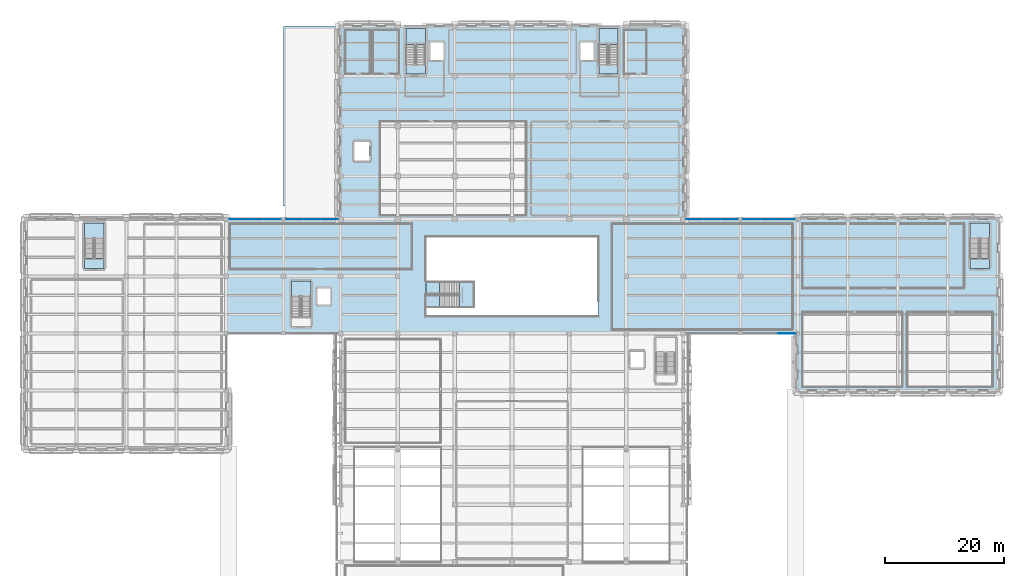
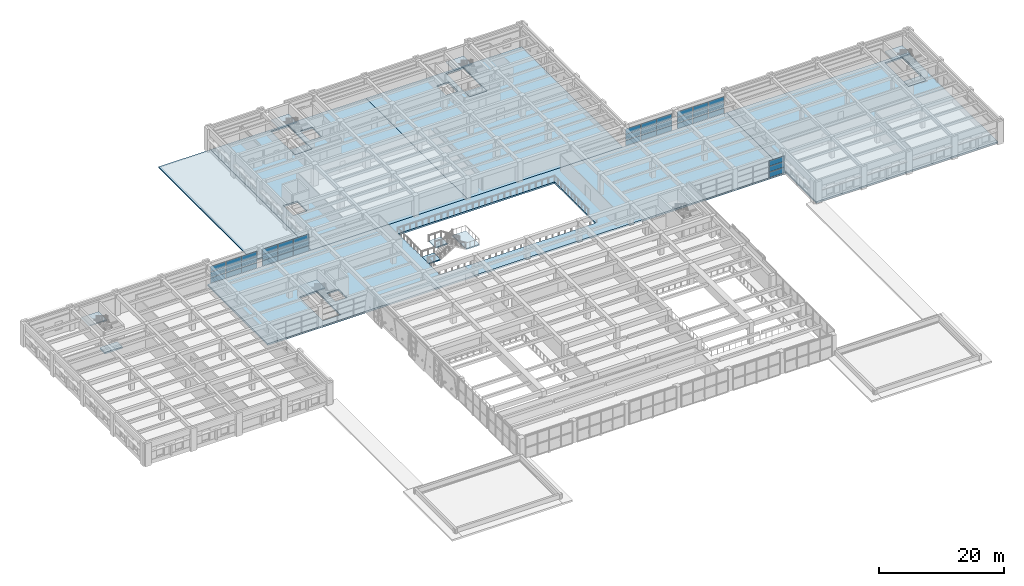
# One storey, part 28 of 49: 39 plates, 17 slabs, 11 elements without a shape of their own.
"""IFC4 building model written with IfcOpenShell, lengths in metres."""

from ifc_helpers import new_model, si_unit, direction, frame, origin, origin_2d, place, context, subcontext, project, spatial, polyline, rectangle, outline, extrude, material, layer, layer_set, type_object, element, aggregate, save


model = new_model("IFC4")

# Units and contexts
model_context = context("Model", 3, precision=1e-05, world=origin(), true_north=direction((0.0, 1.0)))
body_context = subcontext(model_context, "Body", "Model", "MODEL_VIEW")
ifc_project = project(units=[si_unit("LENGTHUNIT", "METRE"), si_unit("AREAUNIT", "SQUARE_METRE"), si_unit("VOLUMEUNIT", "CUBIC_METRE"), si_unit("PLANEANGLEUNIT", "RADIAN"), si_unit("MASSUNIT", "GRAM", prefix="KILO")], contexts=[model_context])

# Site, building, storey
site_placement = place(None, origin())
site = spatial("IfcSite", under=ifc_project, at=site_placement, CompositionType="ELEMENT")
building_placement = place(site_placement, origin())
building = spatial("IfcBuilding", under=site, at=building_placement, Name="Bempovik Park Faculty of Sciences", CompositionType="ELEMENT")
storey_placement = place(building_placement, frame((0.0, 0.0, 5.39990234375)))
storey = spatial("IfcBuildingStorey", under=building, at=storey_placement, Name="L01", CompositionType="ELEMENT", Elevation=5.39990234375)

# Curtain wall, plates
ifc_material_1 = material(Name="Tempered laminated low-E glass", Category="glass")
ifc_layer_1 = layer(ifc_material_1, 0.159912109375)
ifc_layer_set_1 = layer_set([ifc_layer_1], Name="Tempered laminated low-E glass")
curtain_wall_type = type_object("IfcCurtainWallType", Name="CW-52 Curtain 6600x4100", PredefinedType="USERDEFINED", material=ifc_layer_set_1)
curtain_wall_1_placement = place(storey_placement, origin())
curtain_wall_1 = element("IfcCurtainWall", 1, at=curtain_wall_1_placement, inside=storey, type_object=curtain_wall_type, Name="L01 Unitised Curtain Wall (87.0,40.8)", ObjectType="UNITISED CURTAIN WALL", PredefinedType="USERDEFINED")
ifc_layer_2 = layer(ifc_material_1, 0.033935546875)
ifc_layer_set_2 = layer_set([ifc_layer_2], Name="Tempered laminated low-E glass")
plate_type_1 = type_object("IfcPlateType", Name="CP-19 Curtain Panel 34mm", PredefinedType="CURTAIN_PANEL", material=ifc_layer_set_2)
plate_1_placement = place(storey_placement, frame((42.701416015625, 87.0, 1.1669921875), z_axis=(0.0, 0.0, 1.0), x_axis=(1.0, 0.0, 0.0)))
plate_1 = element("IfcPlate", 2, at=plate_1_placement, type_object=plate_type_1, Name="CW-BAY-L01-870-408 Panel 0-1", PredefinedType="CURTAIN_PANEL", context=body_context, shape_type="SweptSolid", body=[
    extrude(rectangle(XDim=2.818603515625, YDim=0.035888671875, at=origin_2d()), origin(), (0.0, 0.0, 1.0), 1.046630859375),
])
plate_2_placement = place(storey_placement, frame((42.701416015625, 87.0, 2.29345703125), z_axis=(0.0, 0.0, 1.0), x_axis=(1.0, 0.0, 0.0)))
plate_2 = element("IfcPlate", 3, at=plate_2_placement, type_object=plate_type_1, Name="CW-BAY-L01-870-408 Panel 0-2", PredefinedType="CURTAIN_PANEL", context=body_context, shape_type="SweptSolid", body=[
    extrude(rectangle(XDim=2.818603515625, YDim=0.035888671875, at=origin_2d()), origin(), (0.0, 0.0, 1.0), 1.046630859375),
])
plate_3_placement = place(storey_placement, frame((45.60009765625, 87.0, 1.1669921875), z_axis=(0.0, 0.0, 1.0), x_axis=(1.0, 0.0, 0.0)))
plate_3 = element("IfcPlate", 4, at=plate_3_placement, type_object=plate_type_1, Name="CW-BAY-L01-870-408 Panel 1-1", PredefinedType="CURTAIN_PANEL", context=body_context, shape_type="SweptSolid", body=[
    extrude(rectangle(XDim=2.818603515625, YDim=0.035888671875, at=origin_2d()), origin(), (0.0, 0.0, 1.0), 1.046630859375),
])
plate_4_placement = place(storey_placement, frame((45.60009765625, 87.0, 2.29345703125), z_axis=(0.0, 0.0, 1.0), x_axis=(1.0, 0.0, 0.0)))
plate_4 = element("IfcPlate", 5, at=plate_4_placement, type_object=plate_type_1, Name="CW-BAY-L01-870-408 Panel 1-2", PredefinedType="CURTAIN_PANEL", context=body_context, shape_type="SweptSolid", body=[
    extrude(rectangle(XDim=2.818603515625, YDim=0.035888671875, at=origin_2d()), origin(), (0.0, 0.0, 1.0), 1.046630859375),
])
plate_5_placement = place(storey_placement, frame((48.498779296875, 87.0, 1.1669921875), z_axis=(0.0, 0.0, 1.0), x_axis=(1.0, 0.0, 0.0)))
plate_5 = element("IfcPlate", 6, at=plate_5_placement, type_object=plate_type_1, Name="CW-BAY-L01-870-408 Panel 2-1", PredefinedType="CURTAIN_PANEL", context=body_context, shape_type="SweptSolid", body=[
    extrude(rectangle(XDim=2.818603515625, YDim=0.035888671875, at=origin_2d()), origin(), (0.0, 0.0, 1.0), 1.046630859375),
])
plate_6_placement = place(storey_placement, frame((48.498779296875, 87.0, 2.29345703125), z_axis=(0.0, 0.0, 1.0), x_axis=(1.0, 0.0, 0.0)))
plate_6 = element("IfcPlate", 7, at=plate_6_placement, type_object=plate_type_1, Name="CW-BAY-L01-870-408 Panel 2-2", PredefinedType="CURTAIN_PANEL", context=body_context, shape_type="SweptSolid", body=[
    extrude(rectangle(XDim=2.818603515625, YDim=0.035888671875, at=origin_2d()), origin(), (0.0, 0.0, 1.0), 1.046630859375),
])

curtain_wall_2_placement = place(storey_placement, origin())
curtain_wall_2 = element("IfcCurtainWall", 8, at=curtain_wall_2_placement, inside=storey, type_object=curtain_wall_type, Name="L01 Unitised Curtain Wall (87.0,50.4)", ObjectType="UNITISED CURTAIN WALL", PredefinedType="USERDEFINED")
plate_7_placement = place(storey_placement, frame((52.30126953125, 87.0, 1.1669921875), z_axis=(0.0, 0.0, 1.0), x_axis=(1.0, 0.0, 0.0)))
plate_7 = element("IfcPlate", 9, at=plate_7_placement, type_object=plate_type_1, Name="CW-BAY-L01-870-504 Panel 0-1", PredefinedType="CURTAIN_PANEL", context=body_context, shape_type="SweptSolid", body=[
    extrude(rectangle(XDim=2.818603515625, YDim=0.035888671875, at=origin_2d()), origin(), (0.0, 0.0, 1.0), 1.046630859375),
])
plate_8_placement = place(storey_placement, frame((52.30126953125, 87.0, 2.29345703125), z_axis=(0.0, 0.0, 1.0), x_axis=(1.0, 0.0, 0.0)))
plate_8 = element("IfcPlate", 10, at=plate_8_placement, type_object=plate_type_1, Name="CW-BAY-L01-870-504 Panel 0-2", PredefinedType="CURTAIN_PANEL", context=body_context, shape_type="SweptSolid", body=[
    extrude(rectangle(XDim=2.818603515625, YDim=0.035888671875, at=origin_2d()), origin(), (0.0, 0.0, 1.0), 1.046630859375),
])
plate_9_placement = place(storey_placement, frame((55.199951171875, 87.0, 1.1669921875), z_axis=(0.0, 0.0, 1.0), x_axis=(1.0, 0.0, 0.0)))
plate_9 = element("IfcPlate", 11, at=plate_9_placement, type_object=plate_type_1, Name="CW-BAY-L01-870-504 Panel 1-1", PredefinedType="CURTAIN_PANEL", context=body_context, shape_type="SweptSolid", body=[
    extrude(rectangle(XDim=2.818603515625, YDim=0.035888671875, at=origin_2d()), origin(), (0.0, 0.0, 1.0), 1.046630859375),
])
plate_10_placement = place(storey_placement, frame((55.199951171875, 87.0, 2.29345703125), z_axis=(0.0, 0.0, 1.0), x_axis=(1.0, 0.0, 0.0)))
plate_10 = element("IfcPlate", 12, at=plate_10_placement, type_object=plate_type_1, Name="CW-BAY-L01-870-504 Panel 1-2", PredefinedType="CURTAIN_PANEL", context=body_context, shape_type="SweptSolid", body=[
    extrude(rectangle(XDim=2.818603515625, YDim=0.035888671875, at=origin_2d()), origin(), (0.0, 0.0, 1.0), 1.046630859375),
])
plate_11_placement = place(storey_placement, frame((58.0986328125, 87.0, 1.1669921875), z_axis=(0.0, 0.0, 1.0), x_axis=(1.0, 0.0, 0.0)))
plate_11 = element("IfcPlate", 13, at=plate_11_placement, type_object=plate_type_1, Name="CW-BAY-L01-870-504 Panel 2-1", PredefinedType="CURTAIN_PANEL", context=body_context, shape_type="SweptSolid", body=[
    extrude(rectangle(XDim=2.818603515625, YDim=0.035888671875, at=origin_2d()), origin(), (0.0, 0.0, 1.0), 1.046630859375),
])
plate_12_placement = place(storey_placement, frame((58.0986328125, 87.0, 2.29345703125), z_axis=(0.0, 0.0, 1.0), x_axis=(1.0, 0.0, 0.0)))
plate_12 = element("IfcPlate", 14, at=plate_12_placement, type_object=plate_type_1, Name="CW-BAY-L01-870-504 Panel 2-2", PredefinedType="CURTAIN_PANEL", context=body_context, shape_type="SweptSolid", body=[
    extrude(rectangle(XDim=2.818603515625, YDim=0.035888671875, at=origin_2d()), origin(), (0.0, 0.0, 1.0), 1.046630859375),
])

curtain_wall_3_placement = place(storey_placement, origin())
curtain_wall_3 = element("IfcCurtainWall", 15, at=curtain_wall_3_placement, inside=storey, type_object=curtain_wall_type, Name="L01 Unitised Curtain Wall (87.0,117.6)", ObjectType="UNITISED CURTAIN WALL", PredefinedType="USERDEFINED")
plate_13_placement = place(storey_placement, frame((119.501220703125, 87.0, 1.1669921875), z_axis=(0.0, 0.0, 1.0), x_axis=(1.0, 0.0, 0.0)))
plate_13 = element("IfcPlate", 16, at=plate_13_placement, type_object=plate_type_1, Name="CW-BAY-L01-870-1176 Panel 0-1", PredefinedType="CURTAIN_PANEL", context=body_context, shape_type="SweptSolid", body=[
    extrude(rectangle(XDim=2.818603515625, YDim=0.035888671875, at=origin_2d()), origin(), (0.0, 0.0, 1.0), 1.046630859375),
])
plate_14_placement = place(storey_placement, frame((119.501220703125, 87.0, 2.29345703125), z_axis=(0.0, 0.0, 1.0), x_axis=(1.0, 0.0, 0.0)))
plate_14 = element("IfcPlate", 17, at=plate_14_placement, type_object=plate_type_1, Name="CW-BAY-L01-870-1176 Panel 0-2", PredefinedType="CURTAIN_PANEL", context=body_context, shape_type="SweptSolid", body=[
    extrude(rectangle(XDim=2.818603515625, YDim=0.035888671875, at=origin_2d()), origin(), (0.0, 0.0, 1.0), 1.046630859375),
])
plate_15_placement = place(storey_placement, frame((122.39990234375, 87.0, 1.1669921875), z_axis=(0.0, 0.0, 1.0), x_axis=(1.0, 0.0, 0.0)))
plate_15 = element("IfcPlate", 18, at=plate_15_placement, type_object=plate_type_1, Name="CW-BAY-L01-870-1176 Panel 1-1", PredefinedType="CURTAIN_PANEL", context=body_context, shape_type="SweptSolid", body=[
    extrude(rectangle(XDim=2.818603515625, YDim=0.035888671875, at=origin_2d()), origin(), (0.0, 0.0, 1.0), 1.046630859375),
])
plate_16_placement = place(storey_placement, frame((122.39990234375, 87.0, 2.29345703125), z_axis=(0.0, 0.0, 1.0), x_axis=(1.0, 0.0, 0.0)))
plate_16 = element("IfcPlate", 19, at=plate_16_placement, type_object=plate_type_1, Name="CW-BAY-L01-870-1176 Panel 1-2", PredefinedType="CURTAIN_PANEL", context=body_context, shape_type="SweptSolid", body=[
    extrude(rectangle(XDim=2.818603515625, YDim=0.035888671875, at=origin_2d()), origin(), (0.0, 0.0, 1.0), 1.046630859375),
])
plate_17_placement = place(storey_placement, frame((125.298583984375, 87.0, 1.1669921875), z_axis=(0.0, 0.0, 1.0), x_axis=(1.0, 0.0, 0.0)))
plate_17 = element("IfcPlate", 20, at=plate_17_placement, type_object=plate_type_1, Name="CW-BAY-L01-870-1176 Panel 2-1", PredefinedType="CURTAIN_PANEL", context=body_context, shape_type="SweptSolid", body=[
    extrude(rectangle(XDim=2.818603515625, YDim=0.035888671875, at=origin_2d()), origin(), (0.0, 0.0, 1.0), 1.046630859375),
])
plate_18_placement = place(storey_placement, frame((125.298583984375, 87.0, 2.29345703125), z_axis=(0.0, 0.0, 1.0), x_axis=(1.0, 0.0, 0.0)))
plate_18 = element("IfcPlate", 21, at=plate_18_placement, type_object=plate_type_1, Name="CW-BAY-L01-870-1176 Panel 2-2", PredefinedType="CURTAIN_PANEL", context=body_context, shape_type="SweptSolid", body=[
    extrude(rectangle(XDim=2.818603515625, YDim=0.035888671875, at=origin_2d()), origin(), (0.0, 0.0, 1.0), 1.046630859375),
])

curtain_wall_4_placement = place(storey_placement, origin())
curtain_wall_4 = element("IfcCurtainWall", 22, at=curtain_wall_4_placement, inside=storey, type_object=curtain_wall_type, Name="L01 Unitised Curtain Wall (87.0,127.2)", ObjectType="UNITISED CURTAIN WALL", PredefinedType="USERDEFINED")
plate_19_placement = place(storey_placement, frame((129.101318359375, 87.0, 1.1669921875), z_axis=(0.0, 0.0, 1.0), x_axis=(1.0, 0.0, 0.0)))
plate_19 = element("IfcPlate", 23, at=plate_19_placement, type_object=plate_type_1, Name="CW-BAY-L01-870-1272 Panel 0-1", PredefinedType="CURTAIN_PANEL", context=body_context, shape_type="SweptSolid", body=[
    extrude(rectangle(XDim=2.818603515625, YDim=0.035888671875, at=origin_2d()), origin(), (0.0, 0.0, 1.0), 1.046630859375),
])
plate_20_placement = place(storey_placement, frame((129.101318359375, 87.0, 2.29345703125), z_axis=(0.0, 0.0, 1.0), x_axis=(1.0, 0.0, 0.0)))
plate_20 = element("IfcPlate", 24, at=plate_20_placement, type_object=plate_type_1, Name="CW-BAY-L01-870-1272 Panel 0-2", PredefinedType="CURTAIN_PANEL", context=body_context, shape_type="SweptSolid", body=[
    extrude(rectangle(XDim=2.818603515625, YDim=0.035888671875, at=origin_2d()), origin(), (0.0, 0.0, 1.0), 1.046630859375),
])
plate_21_placement = place(storey_placement, frame((132.0, 87.0, 1.1669921875), z_axis=(0.0, 0.0, 1.0), x_axis=(1.0, 0.0, 0.0)))
plate_21 = element("IfcPlate", 25, at=plate_21_placement, type_object=plate_type_1, Name="CW-BAY-L01-870-1272 Panel 1-1", PredefinedType="CURTAIN_PANEL", context=body_context, shape_type="SweptSolid", body=[
    extrude(rectangle(XDim=2.818603515625, YDim=0.035888671875, at=origin_2d()), origin(), (0.0, 0.0, 1.0), 1.046630859375),
])
plate_22_placement = place(storey_placement, frame((132.0, 87.0, 2.29345703125), z_axis=(0.0, 0.0, 1.0), x_axis=(1.0, 0.0, 0.0)))
plate_22 = element("IfcPlate", 26, at=plate_22_placement, type_object=plate_type_1, Name="CW-BAY-L01-870-1272 Panel 1-2", PredefinedType="CURTAIN_PANEL", context=body_context, shape_type="SweptSolid", body=[
    extrude(rectangle(XDim=2.818603515625, YDim=0.035888671875, at=origin_2d()), origin(), (0.0, 0.0, 1.0), 1.046630859375),
])
plate_23_placement = place(storey_placement, frame((134.898681640625, 87.0, 1.1669921875), z_axis=(0.0, 0.0, 1.0), x_axis=(1.0, 0.0, 0.0)))
plate_23 = element("IfcPlate", 27, at=plate_23_placement, type_object=plate_type_1, Name="CW-BAY-L01-870-1272 Panel 2-1", PredefinedType="CURTAIN_PANEL", context=body_context, shape_type="SweptSolid", body=[
    extrude(rectangle(XDim=2.818603515625, YDim=0.035888671875, at=origin_2d()), origin(), (0.0, 0.0, 1.0), 1.046630859375),
])
plate_24_placement = place(storey_placement, frame((134.898681640625, 87.0, 2.29345703125), z_axis=(0.0, 0.0, 1.0), x_axis=(1.0, 0.0, 0.0)))
plate_24 = element("IfcPlate", 28, at=plate_24_placement, type_object=plate_type_1, Name="CW-BAY-L01-870-1272 Panel 2-2", PredefinedType="CURTAIN_PANEL", context=body_context, shape_type="SweptSolid", body=[
    extrude(rectangle(XDim=2.818603515625, YDim=0.035888671875, at=origin_2d()), origin(), (0.0, 0.0, 1.0), 1.046630859375),
])

curtain_wall_5_placement = place(storey_placement, origin())
curtain_wall_5 = element("IfcCurtainWall", 29, at=curtain_wall_5_placement, inside=storey, type_object=curtain_wall_type, Name="L01 Unitised Curtain Wall (67.8,127.2)", ObjectType="UNITISED CURTAIN WALL", PredefinedType="USERDEFINED")
plate_25_placement = place(storey_placement, frame((135.007080078125, 67.800048828125, 1.1669921875), z_axis=(0.0, 0.0, 1.0), x_axis=(1.0, 0.0, 0.0)))
plate_25 = element("IfcPlate", 30, at=plate_25_placement, type_object=plate_type_1, Name="CW-BAY-L01-678-1272 Panel 2-1", PredefinedType="CURTAIN_PANEL", context=body_context, shape_type="SweptSolid", body=[
    extrude(rectangle(XDim=2.882080078125, YDim=0.035888671875, at=origin_2d()), origin(), (0.0, 0.0, 1.0), 1.046630859375),
])
plate_26_placement = place(storey_placement, frame((135.007080078125, 67.800048828125, 2.29345703125), z_axis=(0.0, 0.0, 1.0), x_axis=(1.0, 0.0, 0.0)))
plate_26 = element("IfcPlate", 31, at=plate_26_placement, type_object=plate_type_1, Name="CW-BAY-L01-678-1272 Panel 2-2", PredefinedType="CURTAIN_PANEL", context=body_context, shape_type="SweptSolid", body=[
    extrude(rectangle(XDim=2.882080078125, YDim=0.035888671875, at=origin_2d()), origin(), (0.0, 0.0, 1.0), 1.046630859375),
])

# Plate
ifc_material_2 = material(Name="Anodised architectural bronze")
ifc_layer_3 = layer(ifc_material_2, 0.048095703125)
ifc_layer_set_3 = layer_set([ifc_layer_3], Name="Anodised architectural bronze")
plate_type_2 = type_object("IfcPlateType", Name="CP-24 Curtain Panel 48mm", PredefinedType="CURTAIN_PANEL", material=ifc_layer_set_3)
plate_27_placement = place(storey_placement, frame((42.701416015625, 87.0, 0.0400390625), z_axis=(0.0, 0.0, 1.0), x_axis=(1.0, 0.0, 0.0)))
plate_27 = element("IfcPlate", 32, at=plate_27_placement, type_object=plate_type_2, Name="CW-BAY-L01-870-408 Panel 0-0", PredefinedType="CURTAIN_PANEL", context=body_context, shape_type="SweptSolid", body=[
    extrude(rectangle(XDim=2.818603515625, YDim=0.035888671875, at=origin_2d()), origin(), (0.0, 0.0, 1.0), 1.046630859375),
])

plate_28_placement = place(storey_placement, frame((45.60009765625, 87.0, 0.0400390625), z_axis=(0.0, 0.0, 1.0), x_axis=(1.0, 0.0, 0.0)))
plate_28 = element("IfcPlate", 33, at=plate_28_placement, type_object=plate_type_2, Name="CW-BAY-L01-870-408 Panel 1-0", PredefinedType="CURTAIN_PANEL", context=body_context, shape_type="SweptSolid", body=[
    extrude(rectangle(XDim=2.818603515625, YDim=0.035888671875, at=origin_2d()), origin(), (0.0, 0.0, 1.0), 1.046630859375),
])

plate_29_placement = place(storey_placement, frame((48.498779296875, 87.0, 0.0400390625), z_axis=(0.0, 0.0, 1.0), x_axis=(1.0, 0.0, 0.0)))
plate_29 = element("IfcPlate", 34, at=plate_29_placement, type_object=plate_type_2, Name="CW-BAY-L01-870-408 Panel 2-0", PredefinedType="CURTAIN_PANEL", context=body_context, shape_type="SweptSolid", body=[
    extrude(rectangle(XDim=2.818603515625, YDim=0.035888671875, at=origin_2d()), origin(), (0.0, 0.0, 1.0), 1.046630859375),
])

aggregate(curtain_wall_1, [plate_27, plate_1, plate_2, plate_28, plate_3, plate_4, plate_29, plate_5, plate_6])

plate_30_placement = place(storey_placement, frame((52.30126953125, 87.0, 0.0400390625), z_axis=(0.0, 0.0, 1.0), x_axis=(1.0, 0.0, 0.0)))
plate_30 = element("IfcPlate", 35, at=plate_30_placement, type_object=plate_type_2, Name="CW-BAY-L01-870-504 Panel 0-0", PredefinedType="CURTAIN_PANEL", context=body_context, shape_type="SweptSolid", body=[
    extrude(rectangle(XDim=2.818603515625, YDim=0.035888671875, at=origin_2d()), origin(), (0.0, 0.0, 1.0), 1.046630859375),
])

plate_31_placement = place(storey_placement, frame((55.199951171875, 87.0, 0.0400390625), z_axis=(0.0, 0.0, 1.0), x_axis=(1.0, 0.0, 0.0)))
plate_31 = element("IfcPlate", 36, at=plate_31_placement, type_object=plate_type_2, Name="CW-BAY-L01-870-504 Panel 1-0", PredefinedType="CURTAIN_PANEL", context=body_context, shape_type="SweptSolid", body=[
    extrude(rectangle(XDim=2.818603515625, YDim=0.035888671875, at=origin_2d()), origin(), (0.0, 0.0, 1.0), 1.046630859375),
])

plate_32_placement = place(storey_placement, frame((58.0986328125, 87.0, 0.0400390625), z_axis=(0.0, 0.0, 1.0), x_axis=(1.0, 0.0, 0.0)))
plate_32 = element("IfcPlate", 37, at=plate_32_placement, type_object=plate_type_2, Name="CW-BAY-L01-870-504 Panel 2-0", PredefinedType="CURTAIN_PANEL", context=body_context, shape_type="SweptSolid", body=[
    extrude(rectangle(XDim=2.818603515625, YDim=0.035888671875, at=origin_2d()), origin(), (0.0, 0.0, 1.0), 1.046630859375),
])

aggregate(curtain_wall_2, [plate_30, plate_7, plate_8, plate_31, plate_9, plate_10, plate_32, plate_11, plate_12])

plate_33_placement = place(storey_placement, frame((119.501220703125, 87.0, 0.0400390625), z_axis=(0.0, 0.0, 1.0), x_axis=(1.0, 0.0, 0.0)))
plate_33 = element("IfcPlate", 38, at=plate_33_placement, type_object=plate_type_2, Name="CW-BAY-L01-870-1176 Panel 0-0", PredefinedType="CURTAIN_PANEL", context=body_context, shape_type="SweptSolid", body=[
    extrude(rectangle(XDim=2.818603515625, YDim=0.035888671875, at=origin_2d()), origin(), (0.0, 0.0, 1.0), 1.046630859375),
])

plate_34_placement = place(storey_placement, frame((122.39990234375, 87.0, 0.0400390625), z_axis=(0.0, 0.0, 1.0), x_axis=(1.0, 0.0, 0.0)))
plate_34 = element("IfcPlate", 39, at=plate_34_placement, type_object=plate_type_2, Name="CW-BAY-L01-870-1176 Panel 1-0", PredefinedType="CURTAIN_PANEL", context=body_context, shape_type="SweptSolid", body=[
    extrude(rectangle(XDim=2.818603515625, YDim=0.035888671875, at=origin_2d()), origin(), (0.0, 0.0, 1.0), 1.046630859375),
])

plate_35_placement = place(storey_placement, frame((125.298583984375, 87.0, 0.0400390625), z_axis=(0.0, 0.0, 1.0), x_axis=(1.0, 0.0, 0.0)))
plate_35 = element("IfcPlate", 40, at=plate_35_placement, type_object=plate_type_2, Name="CW-BAY-L01-870-1176 Panel 2-0", PredefinedType="CURTAIN_PANEL", context=body_context, shape_type="SweptSolid", body=[
    extrude(rectangle(XDim=2.818603515625, YDim=0.035888671875, at=origin_2d()), origin(), (0.0, 0.0, 1.0), 1.046630859375),
])

aggregate(curtain_wall_3, [plate_33, plate_13, plate_14, plate_34, plate_15, plate_16, plate_35, plate_17, plate_18])

plate_36_placement = place(storey_placement, frame((129.101318359375, 87.0, 0.0400390625), z_axis=(0.0, 0.0, 1.0), x_axis=(1.0, 0.0, 0.0)))
plate_36 = element("IfcPlate", 41, at=plate_36_placement, type_object=plate_type_2, Name="CW-BAY-L01-870-1272 Panel 0-0", PredefinedType="CURTAIN_PANEL", context=body_context, shape_type="SweptSolid", body=[
    extrude(rectangle(XDim=2.818603515625, YDim=0.035888671875, at=origin_2d()), origin(), (0.0, 0.0, 1.0), 1.046630859375),
])

plate_37_placement = place(storey_placement, frame((132.0, 87.0, 0.0400390625), z_axis=(0.0, 0.0, 1.0), x_axis=(1.0, 0.0, 0.0)))
plate_37 = element("IfcPlate", 42, at=plate_37_placement, type_object=plate_type_2, Name="CW-BAY-L01-870-1272 Panel 1-0", PredefinedType="CURTAIN_PANEL", context=body_context, shape_type="SweptSolid", body=[
    extrude(rectangle(XDim=2.818603515625, YDim=0.035888671875, at=origin_2d()), origin(), (0.0, 0.0, 1.0), 1.046630859375),
])

plate_38_placement = place(storey_placement, frame((134.898681640625, 87.0, 0.0400390625), z_axis=(0.0, 0.0, 1.0), x_axis=(1.0, 0.0, 0.0)))
plate_38 = element("IfcPlate", 43, at=plate_38_placement, type_object=plate_type_2, Name="CW-BAY-L01-870-1272 Panel 2-0", PredefinedType="CURTAIN_PANEL", context=body_context, shape_type="SweptSolid", body=[
    extrude(rectangle(XDim=2.818603515625, YDim=0.035888671875, at=origin_2d()), origin(), (0.0, 0.0, 1.0), 1.046630859375),
])

aggregate(curtain_wall_4, [plate_36, plate_19, plate_20, plate_37, plate_21, plate_22, plate_38, plate_23, plate_24])

plate_39_placement = place(storey_placement, frame((135.007080078125, 67.800048828125, 0.0400390625), z_axis=(0.0, 0.0, 1.0), x_axis=(1.0, 0.0, 0.0)))
plate_39 = element("IfcPlate", 44, at=plate_39_placement, type_object=plate_type_2, Name="CW-BAY-L01-678-1272 Panel 2-0", PredefinedType="CURTAIN_PANEL", context=body_context, shape_type="SweptSolid", body=[
    extrude(rectangle(XDim=2.882080078125, YDim=0.035888671875, at=origin_2d()), origin(), (0.0, 0.0, 1.0), 1.046630859375),
])

aggregate(curtain_wall_5, [plate_39, plate_25, plate_26])

# Slabs
ifc_material_3 = material(Name="Concrete C35/45", Category="concrete")
ifc_layer_4 = layer(ifc_material_3, 0.260009765625)
ifc_layer_set_4 = layer_set([ifc_layer_4], Name="Concrete C35/45")
slab_type_1 = type_object("IfcSlabType", Name="S-13 Slab 260mm", PredefinedType="FLOOR", material=ifc_layer_set_4)
slab_1_placement = place(storey_placement, frame((0.0, 0.0, -0.31982421875)))
element("IfcSlab", 45, at=slab_1_placement, inside=storey, type_object=slab_type_1, Name="L01 Sky-Lit Atrium & Concourse Floor Slab (M)", PredefinedType="FLOOR", context=body_context, shape_type="SweptSolid", body=[
    extrude(outline(polyline([(40.800048828125, 67.800048828125), (136.800048828125, 67.800048828125), (136.800048828125, 87.0), (40.800048828125, 87.0), (40.800048828125, 67.800048828125)]), holes=[polyline([(51.75, 69.0), (55.0, 69.0), (55.0, 76.625), (51.75, 76.625), (51.75, 69.0)]), polyline([(56.10009765625, 72.64990234375), (58.300048828125, 72.64990234375), (58.300048828125, 75.35009765625), (56.10009765625, 75.35009765625), (56.10009765625, 72.64990234375)]), polyline([(74.375, 70.75), (103.25, 70.75), (103.25, 84.0), (74.375, 84.0), (74.375, 70.75)])]), origin(), (0.0, 0.0, 1.0), 0.31982421875),
])
slab_2_placement = place(storey_placement, frame((0.0, 0.0, -0.31982421875)))
element("IfcSlab", 46, at=slab_2_placement, inside=storey, type_object=slab_type_1, Name="L01 East Seminar Wing Floor Slab (M)", PredefinedType="FLOOR", context=body_context, shape_type="SweptSolid", body=[
    extrude(outline(polyline([(136.800048828125, 58.199951171875), (170.39990234375, 58.199951171875), (170.39990234375, 87.0), (136.800048828125, 87.0), (136.800048828125, 58.199951171875)]), holes=[polyline([(165.75, 78.75), (169.0, 78.75), (169.0, 86.375), (165.75, 86.375), (165.75, 78.75)])]), origin(), (0.0, 0.0, 1.0), 0.31982421875),
])
ifc_layer_5 = layer(ifc_material_3, 0.280029296875)
ifc_layer_set_5 = layer_set([ifc_layer_5], Name="Concrete C35/45")
slab_type_2 = type_object("IfcSlabType", Name="S-32 Slab 280mm", PredefinedType="FLOOR", material=ifc_layer_set_5)
slab_3_placement = place(storey_placement, frame((0.0, 0.0, -0.31982421875)))
element("IfcSlab", 47, at=slab_3_placement, inside=storey, type_object=slab_type_2, Name="L01 North Research Tower Floor Slab (W)", PredefinedType="FLOOR", context=body_context, shape_type="SweptSolid", body=[
    extrude(outline(polyline([(60.0, 87.0), (88.800048828125, 87.0), (88.800048828125, 119.39990234375), (60.0, 119.39990234375), (60.0, 87.0)]), holes=[polyline([(71.0, 111.375), (74.25, 111.375), (74.25, 119.0), (71.0, 119.0), (71.0, 111.375)]), polyline([(75.10009765625, 113.699951171875), (77.300048828125, 113.699951171875), (77.300048828125, 116.699951171875), (75.10009765625, 116.699951171875), (75.10009765625, 113.699951171875)]), polyline([(62.300048828125, 96.800048828125), (64.89990234375, 96.800048828125), (64.89990234375, 100.0), (62.300048828125, 100.0), (62.300048828125, 96.800048828125)])]), origin(), (0.0, 0.0, 1.0), 0.31982421875),
])
slab_4_placement = place(storey_placement, frame((0.0, 0.0, -0.31982421875)))
element("IfcSlab", 48, at=slab_4_placement, inside=storey, type_object=slab_type_2, Name="L01 North Research Tower Floor Slab (E)", PredefinedType="FLOOR", context=body_context, shape_type="SweptSolid", body=[
    extrude(outline(polyline([(88.800048828125, 87.0), (117.60009765625, 87.0), (117.60009765625, 119.39990234375), (88.800048828125, 119.39990234375), (88.800048828125, 87.0)]), holes=[polyline([(103.375, 111.375), (106.625, 111.375), (106.625, 119.0), (103.375, 119.0), (103.375, 111.375)]), polyline([(100.300048828125, 113.699951171875), (102.5, 113.699951171875), (102.5, 116.699951171875), (100.300048828125, 116.699951171875), (100.300048828125, 113.699951171875)])]), origin(), (0.0, 0.0, 1.0), 0.31982421875),
])
ifc_layer_6 = layer(ifc_material_3, 0.219970703125)
ifc_layer_set_6 = layer_set([ifc_layer_6], Name="Concrete C35/45")
slab_type_3 = type_object("IfcSlabType", Name="S-38 Slab 220mm", PredefinedType="ROOF", material=ifc_layer_set_6)
slab_5_placement = place(storey_placement, frame((0.0, 0.0, -0.219970703125)))
element("IfcSlab", 49, at=slab_5_placement, inside=storey, type_object=slab_type_3, Name="Flat Concrete Roof Slab RF-V5-PORTAL", PredefinedType="ROOF", context=body_context, shape_type="SweptSolid", body=[
    extrude(outline(polyline([(52.1279296875, 87.0), (60.0, 87.0), (60.0, 119.39990234375), (50.39990234375, 119.39990234375), (50.39990234375, 89.199951171875), (52.1279296875, 89.199951171875), (52.1279296875, 87.0)])), origin(), (0.0, 0.0, 1.0), 0.219970703125),
])

# Stair, slab
stair_type_1 = type_object("IfcStairType", Name="ST-12 Stair W1500 H4500", PredefinedType="HALF_TURN_STAIR", material=ifc_material_3)
stair_1_placement = place(storey_placement, origin())
stair_1 = element("IfcStair", 50, at=stair_1_placement, inside=storey, type_object=stair_type_1, Name="L01 ST-1 Dog-Leg Exit Stair", PredefinedType="HALF_TURN_STAIR")
ifc_layer_7 = layer(ifc_material_3, 0.199951171875)
ifc_layer_set_7 = layer_set([ifc_layer_7], Name="Concrete C35/45")
slab_type_4 = type_object("IfcSlabType", Name="S-41 Slab 200mm", PredefinedType="LANDING", material=ifc_layer_set_7)
slab_6_placement = place(storey_placement, frame((0.0, 0.0, 2.050048828125)))
slab_6 = element("IfcSlab", 51, at=slab_6_placement, type_object=slab_type_4, Name="ST-12 landing 1", PredefinedType="LANDING", context=body_context, shape_type="SweptSolid", body=[
    extrude(outline(polyline([(74.25, 116.375), (74.25, 119.0), (71.0, 119.0), (71.0, 116.375), (74.25, 116.375)])), origin(), (0.0, 0.0, 1.0), 0.199951171875),
])
aggregate(stair_1, [slab_6])

# Slab
slab_7_placement = place(storey_placement, frame((0.0, 0.0, -0.31982421875)))
element("IfcSlab", 52, at=slab_7_placement, inside=storey, type_object=slab_type_4, Name="L01 ST-1 Floor Landing Slab", PredefinedType="LANDING", context=body_context, shape_type="SweptSolid", body=[
    extrude(outline(polyline([(74.25, 111.375), (74.25, 113.0), (71.0, 113.0), (71.0, 111.375), (74.25, 111.375)])), origin(), (0.0, 0.0, 1.0), 0.31982421875),
])

# Stair, slab
stair_2_placement = place(storey_placement, origin())
stair_2 = element("IfcStair", 53, at=stair_2_placement, inside=storey, type_object=stair_type_1, Name="L01 ST-2 Dog-Leg Exit Stair", PredefinedType="HALF_TURN_STAIR")
slab_8_placement = place(storey_placement, frame((0.0, 0.0, 2.050048828125)))
slab_8 = element("IfcSlab", 54, at=slab_8_placement, type_object=slab_type_4, Name="ST-12 landing 1", PredefinedType="LANDING", context=body_context, shape_type="SweptSolid", body=[
    extrude(outline(polyline([(106.625, 116.375), (106.625, 119.0), (103.375, 119.0), (103.375, 116.375), (106.625, 116.375)])), origin(), (0.0, 0.0, 1.0), 0.199951171875),
])
aggregate(stair_2, [slab_8])

# Slab
slab_9_placement = place(storey_placement, frame((0.0, 0.0, -0.31982421875)))
element("IfcSlab", 55, at=slab_9_placement, inside=storey, type_object=slab_type_4, Name="L01 ST-2 Floor Landing Slab", PredefinedType="LANDING", context=body_context, shape_type="SweptSolid", body=[
    extrude(outline(polyline([(106.625, 111.375), (106.625, 113.0), (103.375, 113.0), (103.375, 111.375), (106.625, 111.375)])), origin(), (0.0, 0.0, 1.0), 0.31982421875),
])

# Stair, slab
stair_3_placement = place(storey_placement, origin())
stair_3 = element("IfcStair", 56, at=stair_3_placement, inside=storey, type_object=stair_type_1, Name="L01 ST-3 Dog-Leg Exit Stair", PredefinedType="HALF_TURN_STAIR")
slab_10_placement = place(storey_placement, frame((0.0, 0.0, 2.050048828125)))
slab_10 = element("IfcSlab", 57, at=slab_10_placement, type_object=slab_type_4, Name="ST-12 landing 1", PredefinedType="LANDING", context=body_context, shape_type="SweptSolid", body=[
    extrude(outline(polyline([(20.25, 83.75), (20.25, 86.375), (17.0, 86.375), (17.0, 83.75), (20.25, 83.75)])), origin(), (0.0, 0.0, 1.0), 0.199951171875),
])
aggregate(stair_3, [slab_10])

# Slab
slab_11_placement = place(storey_placement, frame((0.0, 0.0, -0.31982421875)))
element("IfcSlab", 58, at=slab_11_placement, inside=storey, type_object=slab_type_4, Name="L01 ST-3 Floor Landing Slab", PredefinedType="LANDING", context=body_context, shape_type="SweptSolid", body=[
    extrude(outline(polyline([(20.25, 78.75), (20.25, 80.375), (17.0, 80.375), (17.0, 78.75), (20.25, 78.75)])), origin(), (0.0, 0.0, 1.0), 0.31982421875),
])

# Stair, slab
stair_4_placement = place(storey_placement, origin())
stair_4 = element("IfcStair", 59, at=stair_4_placement, inside=storey, type_object=stair_type_1, Name="L01 ST-4 Dog-Leg Exit Stair", PredefinedType="HALF_TURN_STAIR")
slab_12_placement = place(storey_placement, frame((0.0, 0.0, 2.050048828125)))
slab_12 = element("IfcSlab", 60, at=slab_12_placement, type_object=slab_type_4, Name="ST-12 landing 1", PredefinedType="LANDING", context=body_context, shape_type="SweptSolid", body=[
    extrude(outline(polyline([(55.0, 74.0), (55.0, 76.625), (51.75, 76.625), (51.75, 74.0), (55.0, 74.0)])), origin(), (0.0, 0.0, 1.0), 0.199951171875),
])
aggregate(stair_4, [slab_12])

stair_5_placement = place(storey_placement, origin())
stair_5 = element("IfcStair", 61, at=stair_5_placement, inside=storey, type_object=stair_type_1, Name="L01 ST-6 Dog-Leg Exit Stair", PredefinedType="HALF_TURN_STAIR")
slab_13_placement = place(storey_placement, frame((0.0, 0.0, 2.050048828125)))
slab_13 = element("IfcSlab", 62, at=slab_13_placement, type_object=slab_type_4, Name="ST-12 landing 1", PredefinedType="LANDING", context=body_context, shape_type="SweptSolid", body=[
    extrude(outline(polyline([(169.0, 83.75), (169.0, 86.375), (165.75, 86.375), (165.75, 83.75), (169.0, 83.75)])), origin(), (0.0, 0.0, 1.0), 0.199951171875),
])
aggregate(stair_5, [slab_13])

# Slab
slab_14_placement = place(storey_placement, frame((0.0, 0.0, -0.31982421875)))
element("IfcSlab", 63, at=slab_14_placement, inside=storey, type_object=slab_type_4, Name="L01 ST-6 Floor Landing Slab", PredefinedType="LANDING", context=body_context, shape_type="SweptSolid", body=[
    extrude(outline(polyline([(169.0, 78.75), (169.0, 80.375), (165.75, 80.375), (165.75, 78.75), (169.0, 78.75)])), origin(), (0.0, 0.0, 1.0), 0.31982421875),
])

# Stair, slabs
stair_type_2 = type_object("IfcStairType", Name="ST-21 Stair W2100 H4500", PredefinedType="STRAIGHT_RUN_STAIR", material=ifc_material_3)
stair_6_placement = place(storey_placement, origin())
stair_6 = element("IfcStair", 64, at=stair_6_placement, inside=storey, type_object=stair_type_2, Name="Atrium Upper Concourse Straight Stair (L01-L02)", PredefinedType="STRAIGHT_RUN_STAIR")
slab_15_placement = place(storey_placement, frame((0.0, 0.0, -0.199951171875)))
slab_15 = element("IfcSlab", 65, at=slab_15_placement, type_object=slab_type_4, Name="Atrium Feature Stair Departure Landing", PredefinedType="LANDING", context=body_context, shape_type="SweptSolid", body=[
    extrude(outline(polyline([(74.375, 74.375), (76.625, 74.375), (76.625, 76.5), (74.375, 76.5), (74.375, 74.375)])), origin(), (0.0, 0.0, 1.0), 0.199951171875),
])
slab_16_placement = place(storey_placement, frame((0.0, 0.0, 2.050048828125)))
slab_16 = element("IfcSlab", 66, at=slab_16_placement, type_object=slab_type_4, Name="Atrium Feature Stair Cantilevered Landing", PredefinedType="LANDING", context=body_context, shape_type="SweptSolid", body=[
    extrude(outline(polyline([(80.0, 72.125), (82.5, 72.125), (82.5, 76.5), (80.0, 76.5), (80.0, 72.125)])), origin(), (0.0, 0.0, 1.0), 0.199951171875),
])
slab_17_placement = place(storey_placement, frame((0.0, 0.0, 4.300048828125)))
slab_17 = element("IfcSlab", 67, at=slab_17_placement, type_object=slab_type_4, Name="Atrium Feature Stair Top Arrival Landing", PredefinedType="LANDING", context=body_context, shape_type="SweptSolid", body=[
    extrude(outline(polyline([(74.375, 72.125), (76.625, 72.125), (76.625, 74.25), (74.375, 74.25), (74.375, 72.125)])), origin(), (0.0, 0.0, 1.0), 0.199951171875),
])
aggregate(stair_6, [slab_15, slab_16, slab_17])

save(model, "model.ifc")
